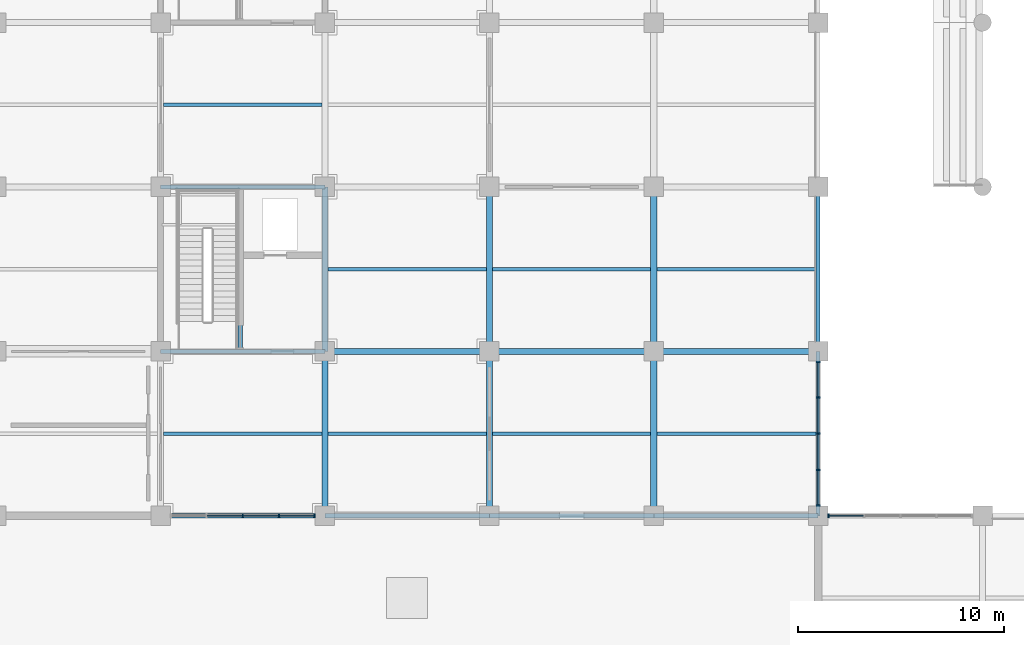
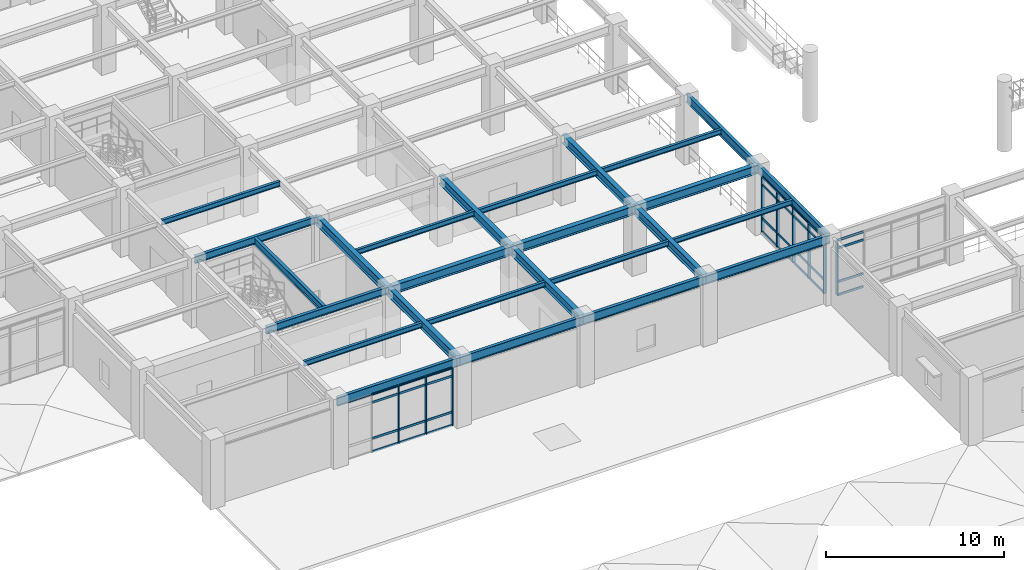
# One storey, part 9 of 109: 41 members, 26 beams, 3 elements without a shape of their own.
"""IFC4 building model written with IfcOpenShell, lengths in metres."""

from ifc_helpers import new_model, si_unit, direction, frame, origin, origin_2d, place, context, subcontext, project, spatial, rectangle, i_section, extrude, material, layer, layer_set, material_profile, profile_set, type_object, element, aggregate, save


model = new_model("IFC4")

# Units and contexts
model_context = context("Model", 3, precision=1e-05, world=origin(), true_north=direction((0.0, 1.0)))
body_context = subcontext(model_context, "Body", "Model", "MODEL_VIEW")
ifc_project = project(units=[si_unit("LENGTHUNIT", "METRE"), si_unit("AREAUNIT", "SQUARE_METRE"), si_unit("VOLUMEUNIT", "CUBIC_METRE"), si_unit("PLANEANGLEUNIT", "RADIAN"), si_unit("MASSUNIT", "GRAM", prefix="KILO")], contexts=[model_context])

# Site, building, storey
site_placement = place(None, origin())
site = spatial("IfcSite", under=ifc_project, at=site_placement, CompositionType="ELEMENT")
building_placement = place(site_placement, origin())
building = spatial("IfcBuilding", under=site, at=building_placement, Name="Haebicheon Civic Stadium", CompositionType="ELEMENT")
storey_placement = place(building_placement, frame((0.0, 0.0, 9.60009765625)))
storey = spatial("IfcBuildingStorey", under=building, at=storey_placement, Name="L03", CompositionType="ELEMENT", Elevation=9.60009765625)

# Beams
ifc_material_1 = material(Name="Steel SM355 (S355)", Category="steel")
ifc_material_profile_1 = material_profile(ifc_material_1, i_section(OverallWidth=0.199951171875, OverallDepth=0.5, WebThickness=0.010009765625, FlangeThickness=0.01611328125, at=origin_2d()), Name="H-500x200x10x16")
ifc_profile_set_1 = profile_set([ifc_material_profile_1], Name="Steel SM355 (S355)")
beam_type_1 = type_object("IfcBeamType", Name="BM-ST-H500", PredefinedType="BEAM", material=ifc_profile_set_1)
for number, where, z_axis, x_axis, name in (
    (1, (32.0, 40.0, 4.289794921875), (1.0, 0.0, 0.0), (0.0, 1.0, 0.0), "L03 beam F/5-6"),
    (2, (32.0, 48.0, 4.289794921875), (1.0, 0.0, 0.0), (0.0, 1.0, 0.0), "L03 beam G/5-6"),
):
    element("IfcBeam", number, at=place(storey_placement, frame(where, z_axis=z_axis, x_axis=x_axis)), inside=storey, type_object=beam_type_1, material=ifc_profile_set_1, Name=name, PredefinedType="BEAM", context=body_context, shape_type="SweptSolid", body=[
        extrude(i_section(OverallWidth=0.199951171875, OverallDepth=0.5, WebThickness=0.010009765625, FlangeThickness=0.01611328125, at=origin_2d()), origin(), (0.0, 0.0, 1.0), 8.0),
    ])
beam_placement = place(storey_placement, frame((35.8798828125, 40.10009765625, 4.289794921875), z_axis=(0.0, 1.0, 0.0), x_axis=(-1.0, 0.0, 0.0)))
element("IfcBeam", 3, at=beam_placement, inside=storey, type_object=beam_type_1, material=ifc_profile_set_1, Name="L03 KC-01 core dividing wall support beam", PredefinedType="BEAM", context=body_context, shape_type="SweptSolid", body=[
    extrude(i_section(OverallWidth=0.199951171875, OverallDepth=0.5, WebThickness=0.010009765625, FlangeThickness=0.01611328125, at=origin_2d()), origin(), (0.0, 0.0, 1.0), 7.7998046875),
])
ifc_material_2 = material(Name="Steel SM355 (S355)", Category="steel")
ifc_material_profile_2 = material_profile(ifc_material_2, i_section(OverallWidth=0.300048828125, OverallDepth=0.60009765625, WebThickness=0.011962890625, FlangeThickness=0.02001953125, at=origin_2d()), Name="H-600x300x12x20")
ifc_profile_set_2 = profile_set([ifc_material_profile_2], Name="Steel SM355 (S355)")
beam_type_2 = type_object("IfcBeamType", Name="BM-ST-H600A", PredefinedType="BEAM", material=ifc_profile_set_2)
for number, where, z_axis, x_axis, name in (
    (4, (40.0, 32.0, 4.239990234375), (0.0, 1.0, 0.0), (-1.0, 0.0, 0.0), "L03 girder 6/E-F"),
    (5, (40.0, 40.0, 4.239990234375), (0.0, 1.0, 0.0), (-1.0, 0.0, 0.0), "L03 girder 6/F-G"),
    (6, (48.0, 32.0, 4.239990234375), (0.0, 1.0, 0.0), (-1.0, 0.0, 0.0), "L03 girder 7/E-F"),
    (7, (48.0, 40.0, 4.239990234375), (0.0, 1.0, 0.0), (-1.0, 0.0, 0.0), "L03 girder 7/F-G"),
    (8, (56.0, 32.0, 4.239990234375), (0.0, 1.0, 0.0), (-1.0, 0.0, 0.0), "L03 girder 8/E-F"),
    (9, (56.0, 40.0, 4.239990234375), (0.0, 1.0, 0.0), (-1.0, 0.0, 0.0), "L03 girder 8/F-G"),
    (10, (40.0, 40.0, 4.239990234375), (1.0, 0.0, 0.0), (0.0, 1.0, 0.0), "L03 beam F/6-7"),
    (11, (48.0, 40.0, 4.239990234375), (1.0, 0.0, 0.0), (0.0, 1.0, 0.0), "L03 beam F/7-8"),
    (12, (56.0, 40.0, 4.239990234375), (1.0, 0.0, 0.0), (0.0, 1.0, 0.0), "L03 beam F/8-9"),
):
    element("IfcBeam", number, at=place(storey_placement, frame(where, z_axis=z_axis, x_axis=x_axis)), inside=storey, type_object=beam_type_2, material=ifc_profile_set_2, Name=name, PredefinedType="BEAM", context=body_context, shape_type="SweptSolid", body=[
        extrude(i_section(OverallWidth=0.300048828125, OverallDepth=0.60009765625, WebThickness=0.011962890625, FlangeThickness=0.02001953125, at=origin_2d()), origin(), (0.0, 0.0, 1.0), 8.0),
    ])

# Curtain wall, members
ifc_material_3 = material(Name="Anodised aluminium and laminated glass", Category="aluminium")
ifc_layer_1 = layer(ifc_material_3, 0.179931640625, Name="Anodised aluminium and laminated glass")
ifc_layer_set_1 = layer_set([ifc_layer_1], Name="Anodised aluminium and laminated glass")
curtain_wall_type_1 = type_object("IfcCurtainWallType", Name="CW-7050x3930", PredefinedType="NOTDEFINED", material=ifc_layer_set_1)
curtain_wall_1_placement = place(storey_placement, origin())
curtain_wall_1 = element("IfcCurtainWall", 13, at=curtain_wall_1_placement, inside=storey, type_object=curtain_wall_type_1, material=ifc_layer_set_1, Name="L03 unitised curtain wall 074", PredefinedType="NOTDEFINED")
ifc_material_4 = material(Name="Anodised aluminium 6063-T6", Category="aluminium")
ifc_material_profile_3 = material_profile(ifc_material_4, rectangle(XDim=0.070068359375, YDim=0.199951171875, at=origin_2d()), Name="ALU-MULL-70x200")
ifc_profile_set_3 = profile_set([ifc_material_profile_3], Name="Anodised aluminium 6063-T6")
member_type_1 = type_object("IfcMemberType", Name="CWM-200x70", PredefinedType="MULLION", material=ifc_profile_set_3)
member_1_placement = place(storey_placement, frame((36.0, 32.0, 0.0), z_axis=(0.0, 0.0, 1.0), x_axis=(1.0, 0.0, 0.0)))
member_1 = element("IfcMember", 14, at=member_1_placement, type_object=member_type_1, material=ifc_profile_set_3, Name="CW-L03-074 vertical mullion 3", PredefinedType="MULLION", context=body_context, shape_type="SweptSolid", body=[
    extrude(rectangle(XDim=0.070068359375, YDim=0.199951171875, at=origin_2d()), origin(), (0.0, 0.0, 1.0), 3.929931640625),
])
member_2_placement = place(storey_placement, frame((37.762939453125, 32.0, 0.0), z_axis=(0.0, 0.0, 1.0), x_axis=(1.0, 0.0, 0.0)))
member_2 = element("IfcMember", 15, at=member_2_placement, type_object=member_type_1, material=ifc_profile_set_3, Name="CW-L03-074 vertical mullion 4", PredefinedType="MULLION", context=body_context, shape_type="SweptSolid", body=[
    extrude(rectangle(XDim=0.070068359375, YDim=0.199951171875, at=origin_2d()), origin(), (0.0, 0.0, 1.0), 3.929931640625),
])
member_3_placement = place(storey_placement, frame((39.489990234375, 32.0, 0.0), z_axis=(0.0, 0.0, 1.0), x_axis=(1.0, 0.0, 0.0)))
member_3 = element("IfcMember", 16, at=member_3_placement, type_object=member_type_1, material=ifc_profile_set_3, Name="CW-L03-074 vertical mullion 5", PredefinedType="MULLION", context=body_context, shape_type="SweptSolid", body=[
    extrude(rectangle(XDim=0.070068359375, YDim=0.199951171875, at=origin_2d()), origin(), (0.0, 0.0, 1.0), 3.929931640625),
])

ifc_material_5 = material(Name="Anodised aluminium and laminated glass", Category="aluminium")
ifc_layer_2 = layer(ifc_material_5, 0.179931640625, Name="Anodised aluminium and laminated glass")
ifc_layer_set_2 = layer_set([ifc_layer_2], Name="Anodised aluminium and laminated glass")
curtain_wall_type_2 = type_object("IfcCurtainWallType", Name="CW-7050x3770", PredefinedType="NOTDEFINED", material=ifc_layer_set_2)
curtain_wall_2_placement = place(storey_placement, origin())
curtain_wall_2 = element("IfcCurtainWall", 17, at=curtain_wall_2_placement, inside=storey, type_object=curtain_wall_type_2, material=ifc_layer_set_2, Name="L03 unitised curtain wall 076", PredefinedType="NOTDEFINED")
member_4_placement = place(storey_placement, frame((64.0, 32.510009765625, 0.159912109375), z_axis=(0.0, 0.0, 1.0), x_axis=(0.0, 1.0, 0.0)))
member_4 = element("IfcMember", 18, at=member_4_placement, type_object=member_type_1, material=ifc_profile_set_3, Name="CW-L03-076 vertical mullion 1", PredefinedType="MULLION", context=body_context, shape_type="SweptSolid", body=[
    extrude(rectangle(XDim=0.070068359375, YDim=0.199951171875, at=origin_2d()), origin(), (0.0, 0.0, 1.0), 3.77001953125),
])
member_5_placement = place(storey_placement, frame((64.0, 34.237060546875, 0.159912109375), z_axis=(0.0, 0.0, 1.0), x_axis=(0.0, 1.0, 0.0)))
member_5 = element("IfcMember", 19, at=member_5_placement, type_object=member_type_1, material=ifc_profile_set_3, Name="CW-L03-076 vertical mullion 2", PredefinedType="MULLION", context=body_context, shape_type="SweptSolid", body=[
    extrude(rectangle(XDim=0.070068359375, YDim=0.199951171875, at=origin_2d()), origin(), (0.0, 0.0, 1.0), 3.77001953125),
])
member_6_placement = place(storey_placement, frame((64.0, 36.0, 0.159912109375), z_axis=(0.0, 0.0, 1.0), x_axis=(0.0, 1.0, 0.0)))
member_6 = element("IfcMember", 20, at=member_6_placement, type_object=member_type_1, material=ifc_profile_set_3, Name="CW-L03-076 vertical mullion 3", PredefinedType="MULLION", context=body_context, shape_type="SweptSolid", body=[
    extrude(rectangle(XDim=0.070068359375, YDim=0.199951171875, at=origin_2d()), origin(), (0.0, 0.0, 1.0), 3.77001953125),
])
member_7_placement = place(storey_placement, frame((64.0, 37.762939453125, 0.159912109375), z_axis=(0.0, 0.0, 1.0), x_axis=(0.0, 1.0, 0.0)))
member_7 = element("IfcMember", 21, at=member_7_placement, type_object=member_type_1, material=ifc_profile_set_3, Name="CW-L03-076 vertical mullion 4", PredefinedType="MULLION", context=body_context, shape_type="SweptSolid", body=[
    extrude(rectangle(XDim=0.070068359375, YDim=0.199951171875, at=origin_2d()), origin(), (0.0, 0.0, 1.0), 3.77001953125),
])
member_8_placement = place(storey_placement, frame((64.0, 39.489990234375, 0.159912109375), z_axis=(0.0, 0.0, 1.0), x_axis=(0.0, 1.0, 0.0)))
member_8 = element("IfcMember", 22, at=member_8_placement, type_object=member_type_1, material=ifc_profile_set_3, Name="CW-L03-076 vertical mullion 5", PredefinedType="MULLION", context=body_context, shape_type="SweptSolid", body=[
    extrude(rectangle(XDim=0.070068359375, YDim=0.199951171875, at=origin_2d()), origin(), (0.0, 0.0, 1.0), 3.77001953125),
])

# Curtain wall, member
curtain_wall_3_placement = place(storey_placement, origin())
curtain_wall_3 = element("IfcCurtainWall", 23, at=curtain_wall_3_placement, inside=storey, type_object=curtain_wall_type_2, material=ifc_layer_set_2, Name="L03 unitised curtain wall 077", PredefinedType="NOTDEFINED")
member_9_placement = place(storey_placement, frame((64.510009765625, 32.0, 0.159912109375), z_axis=(0.0, 0.0, 1.0), x_axis=(1.0, 0.0, 0.0)))
member_9 = element("IfcMember", 24, at=member_9_placement, type_object=member_type_1, material=ifc_profile_set_3, Name="CW-L03-077 vertical mullion 1", PredefinedType="MULLION", context=body_context, shape_type="SweptSolid", body=[
    extrude(rectangle(XDim=0.070068359375, YDim=0.199951171875, at=origin_2d()), origin(), (0.0, 0.0, 1.0), 3.77001953125),
])

# Member
ifc_material_6 = material(Name="Anodised aluminium 6063-T6", Category="aluminium")
ifc_material_profile_4 = material_profile(ifc_material_6, rectangle(XDim=0.070068359375, YDim=0.14990234375, at=origin_2d()), Name="ALU-TRAN-70x150")
ifc_profile_set_4 = profile_set([ifc_material_profile_4], Name="Anodised aluminium 6063-T6")
member_type_2 = type_object("IfcMemberType", Name="CWT-150x70", PredefinedType="NOTDEFINED", material=ifc_profile_set_4)
member_10_placement = place(storey_placement, frame((34.27197265625, 32.0, 0.0), z_axis=(1.0, 0.0, 0.0), x_axis=(0.0, 1.0, 0.0)))
member_10 = element("IfcMember", 25, at=member_10_placement, type_object=member_type_2, material=ifc_profile_set_4, Name="CW-L03-074 horizontal transom 2.1", ObjectType="TRANSOM", PredefinedType="USERDEFINED", context=body_context, shape_type="SweptSolid", body=[
    extrude(rectangle(XDim=0.070068359375, YDim=0.14990234375, at=origin_2d()), origin(), (0.0, 0.0, 1.0), 1.693115234375),
])

member_11_placement = place(storey_placement, frame((34.27197265625, 32.0, 0.89990234375), z_axis=(1.0, 0.0, 0.0), x_axis=(0.0, 1.0, 0.0)))
member_11 = element("IfcMember", 26, at=member_11_placement, type_object=member_type_2, material=ifc_profile_set_4, Name="CW-L03-074 horizontal transom 2.2", ObjectType="TRANSOM", PredefinedType="USERDEFINED", context=body_context, shape_type="SweptSolid", body=[
    extrude(rectangle(XDim=0.070068359375, YDim=0.14990234375, at=origin_2d()), origin(), (0.0, 0.0, 1.0), 1.693115234375),
])

member_12_placement = place(storey_placement, frame((34.27197265625, 32.0, 3.3798828125), z_axis=(1.0, 0.0, 0.0), x_axis=(0.0, 1.0, 0.0)))
member_12 = element("IfcMember", 27, at=member_12_placement, type_object=member_type_2, material=ifc_profile_set_4, Name="CW-L03-074 horizontal transom 2.3", ObjectType="TRANSOM", PredefinedType="USERDEFINED", context=body_context, shape_type="SweptSolid", body=[
    extrude(rectangle(XDim=0.070068359375, YDim=0.14990234375, at=origin_2d()), origin(), (0.0, 0.0, 1.0), 1.693115234375),
])

member_13_placement = place(storey_placement, frame((34.27197265625, 32.0, 3.929931640625), z_axis=(1.0, 0.0, 0.0), x_axis=(0.0, 1.0, 0.0)))
member_13 = element("IfcMember", 28, at=member_13_placement, type_object=member_type_2, material=ifc_profile_set_4, Name="CW-L03-074 horizontal transom 2.4", ObjectType="TRANSOM", PredefinedType="USERDEFINED", context=body_context, shape_type="SweptSolid", body=[
    extrude(rectangle(XDim=0.070068359375, YDim=0.14990234375, at=origin_2d()), origin(), (0.0, 0.0, 1.0), 1.693115234375),
])

member_14_placement = place(storey_placement, frame((36.034912109375, 32.0, 0.0), z_axis=(1.0, 0.0, 0.0), x_axis=(0.0, 1.0, 0.0)))
member_14 = element("IfcMember", 29, at=member_14_placement, type_object=member_type_2, material=ifc_profile_set_4, Name="CW-L03-074 horizontal transom 3.1", ObjectType="TRANSOM", PredefinedType="USERDEFINED", context=body_context, shape_type="SweptSolid", body=[
    extrude(rectangle(XDim=0.070068359375, YDim=0.14990234375, at=origin_2d()), origin(), (0.0, 0.0, 1.0), 1.693115234375),
])

member_15_placement = place(storey_placement, frame((36.034912109375, 32.0, 0.89990234375), z_axis=(1.0, 0.0, 0.0), x_axis=(0.0, 1.0, 0.0)))
member_15 = element("IfcMember", 30, at=member_15_placement, type_object=member_type_2, material=ifc_profile_set_4, Name="CW-L03-074 horizontal transom 3.2", ObjectType="TRANSOM", PredefinedType="USERDEFINED", context=body_context, shape_type="SweptSolid", body=[
    extrude(rectangle(XDim=0.070068359375, YDim=0.14990234375, at=origin_2d()), origin(), (0.0, 0.0, 1.0), 1.693115234375),
])

member_16_placement = place(storey_placement, frame((36.034912109375, 32.0, 3.3798828125), z_axis=(1.0, 0.0, 0.0), x_axis=(0.0, 1.0, 0.0)))
member_16 = element("IfcMember", 31, at=member_16_placement, type_object=member_type_2, material=ifc_profile_set_4, Name="CW-L03-074 horizontal transom 3.3", ObjectType="TRANSOM", PredefinedType="USERDEFINED", context=body_context, shape_type="SweptSolid", body=[
    extrude(rectangle(XDim=0.070068359375, YDim=0.14990234375, at=origin_2d()), origin(), (0.0, 0.0, 1.0), 1.693115234375),
])

member_17_placement = place(storey_placement, frame((36.034912109375, 32.0, 3.929931640625), z_axis=(1.0, 0.0, 0.0), x_axis=(0.0, 1.0, 0.0)))
member_17 = element("IfcMember", 32, at=member_17_placement, type_object=member_type_2, material=ifc_profile_set_4, Name="CW-L03-074 horizontal transom 3.4", ObjectType="TRANSOM", PredefinedType="USERDEFINED", context=body_context, shape_type="SweptSolid", body=[
    extrude(rectangle(XDim=0.070068359375, YDim=0.14990234375, at=origin_2d()), origin(), (0.0, 0.0, 1.0), 1.693115234375),
])

member_18_placement = place(storey_placement, frame((37.798095703125, 32.0, 0.0), z_axis=(1.0, 0.0, 0.0), x_axis=(0.0, 1.0, 0.0)))
member_18 = element("IfcMember", 33, at=member_18_placement, type_object=member_type_2, material=ifc_profile_set_4, Name="CW-L03-074 horizontal transom 4.1", ObjectType="TRANSOM", PredefinedType="USERDEFINED", context=body_context, shape_type="SweptSolid", body=[
    extrude(rectangle(XDim=0.070068359375, YDim=0.14990234375, at=origin_2d()), origin(), (0.0, 0.0, 1.0), 1.656982421875),
])

member_19_placement = place(storey_placement, frame((37.798095703125, 32.0, 0.89990234375), z_axis=(1.0, 0.0, 0.0), x_axis=(0.0, 1.0, 0.0)))
member_19 = element("IfcMember", 34, at=member_19_placement, type_object=member_type_2, material=ifc_profile_set_4, Name="CW-L03-074 horizontal transom 4.2", ObjectType="TRANSOM", PredefinedType="USERDEFINED", context=body_context, shape_type="SweptSolid", body=[
    extrude(rectangle(XDim=0.070068359375, YDim=0.14990234375, at=origin_2d()), origin(), (0.0, 0.0, 1.0), 1.656982421875),
])

member_20_placement = place(storey_placement, frame((37.798095703125, 32.0, 3.3798828125), z_axis=(1.0, 0.0, 0.0), x_axis=(0.0, 1.0, 0.0)))
member_20 = element("IfcMember", 35, at=member_20_placement, type_object=member_type_2, material=ifc_profile_set_4, Name="CW-L03-074 horizontal transom 4.3", ObjectType="TRANSOM", PredefinedType="USERDEFINED", context=body_context, shape_type="SweptSolid", body=[
    extrude(rectangle(XDim=0.070068359375, YDim=0.14990234375, at=origin_2d()), origin(), (0.0, 0.0, 1.0), 1.656982421875),
])

member_21_placement = place(storey_placement, frame((37.798095703125, 32.0, 3.929931640625), z_axis=(1.0, 0.0, 0.0), x_axis=(0.0, 1.0, 0.0)))
member_21 = element("IfcMember", 36, at=member_21_placement, type_object=member_type_2, material=ifc_profile_set_4, Name="CW-L03-074 horizontal transom 4.4", ObjectType="TRANSOM", PredefinedType="USERDEFINED", context=body_context, shape_type="SweptSolid", body=[
    extrude(rectangle(XDim=0.070068359375, YDim=0.14990234375, at=origin_2d()), origin(), (0.0, 0.0, 1.0), 1.656982421875),
])

aggregate(curtain_wall_1, [member_1, member_2, member_3, member_10, member_11, member_12, member_13, member_14, member_15, member_16, member_17, member_18, member_19, member_20, member_21])

member_22_placement = place(storey_placement, frame((64.0, 32.544921875, 0.159912109375), z_axis=(0.0, 1.0, 0.0), x_axis=(-1.0, 0.0, 0.0)))
member_22 = element("IfcMember", 37, at=member_22_placement, type_object=member_type_2, material=ifc_profile_set_4, Name="CW-L03-076 horizontal transom 1.1", ObjectType="TRANSOM", PredefinedType="USERDEFINED", context=body_context, shape_type="SweptSolid", body=[
    extrude(rectangle(XDim=0.070068359375, YDim=0.14990234375, at=origin_2d()), origin(), (0.0, 0.0, 1.0), 1.656982421875),
])

member_23_placement = place(storey_placement, frame((64.0, 32.544921875, 1.059814453125), z_axis=(0.0, 1.0, 0.0), x_axis=(-1.0, 0.0, 0.0)))
member_23 = element("IfcMember", 38, at=member_23_placement, type_object=member_type_2, material=ifc_profile_set_4, Name="CW-L03-076 horizontal transom 1.2", ObjectType="TRANSOM", PredefinedType="USERDEFINED", context=body_context, shape_type="SweptSolid", body=[
    extrude(rectangle(XDim=0.070068359375, YDim=0.14990234375, at=origin_2d()), origin(), (0.0, 0.0, 1.0), 1.656982421875),
])

member_24_placement = place(storey_placement, frame((64.0, 32.544921875, 3.3798828125), z_axis=(0.0, 1.0, 0.0), x_axis=(-1.0, 0.0, 0.0)))
member_24 = element("IfcMember", 39, at=member_24_placement, type_object=member_type_2, material=ifc_profile_set_4, Name="CW-L03-076 horizontal transom 1.3", ObjectType="TRANSOM", PredefinedType="USERDEFINED", context=body_context, shape_type="SweptSolid", body=[
    extrude(rectangle(XDim=0.070068359375, YDim=0.14990234375, at=origin_2d()), origin(), (0.0, 0.0, 1.0), 1.656982421875),
])

member_25_placement = place(storey_placement, frame((64.0, 32.544921875, 3.929931640625), z_axis=(0.0, 1.0, 0.0), x_axis=(-1.0, 0.0, 0.0)))
member_25 = element("IfcMember", 40, at=member_25_placement, type_object=member_type_2, material=ifc_profile_set_4, Name="CW-L03-076 horizontal transom 1.4", ObjectType="TRANSOM", PredefinedType="USERDEFINED", context=body_context, shape_type="SweptSolid", body=[
    extrude(rectangle(XDim=0.070068359375, YDim=0.14990234375, at=origin_2d()), origin(), (0.0, 0.0, 1.0), 1.656982421875),
])

member_26_placement = place(storey_placement, frame((64.0, 34.27197265625, 0.159912109375), z_axis=(0.0, 1.0, 0.0), x_axis=(-1.0, 0.0, 0.0)))
member_26 = element("IfcMember", 41, at=member_26_placement, type_object=member_type_2, material=ifc_profile_set_4, Name="CW-L03-076 horizontal transom 2.1", ObjectType="TRANSOM", PredefinedType="USERDEFINED", context=body_context, shape_type="SweptSolid", body=[
    extrude(rectangle(XDim=0.070068359375, YDim=0.14990234375, at=origin_2d()), origin(), (0.0, 0.0, 1.0), 1.693115234375),
])

member_27_placement = place(storey_placement, frame((64.0, 34.27197265625, 1.059814453125), z_axis=(0.0, 1.0, 0.0), x_axis=(-1.0, 0.0, 0.0)))
member_27 = element("IfcMember", 42, at=member_27_placement, type_object=member_type_2, material=ifc_profile_set_4, Name="CW-L03-076 horizontal transom 2.2", ObjectType="TRANSOM", PredefinedType="USERDEFINED", context=body_context, shape_type="SweptSolid", body=[
    extrude(rectangle(XDim=0.070068359375, YDim=0.14990234375, at=origin_2d()), origin(), (0.0, 0.0, 1.0), 1.693115234375),
])

member_28_placement = place(storey_placement, frame((64.0, 34.27197265625, 3.3798828125), z_axis=(0.0, 1.0, 0.0), x_axis=(-1.0, 0.0, 0.0)))
member_28 = element("IfcMember", 43, at=member_28_placement, type_object=member_type_2, material=ifc_profile_set_4, Name="CW-L03-076 horizontal transom 2.3", ObjectType="TRANSOM", PredefinedType="USERDEFINED", context=body_context, shape_type="SweptSolid", body=[
    extrude(rectangle(XDim=0.070068359375, YDim=0.14990234375, at=origin_2d()), origin(), (0.0, 0.0, 1.0), 1.693115234375),
])

member_29_placement = place(storey_placement, frame((64.0, 34.27197265625, 3.929931640625), z_axis=(0.0, 1.0, 0.0), x_axis=(-1.0, 0.0, 0.0)))
member_29 = element("IfcMember", 44, at=member_29_placement, type_object=member_type_2, material=ifc_profile_set_4, Name="CW-L03-076 horizontal transom 2.4", ObjectType="TRANSOM", PredefinedType="USERDEFINED", context=body_context, shape_type="SweptSolid", body=[
    extrude(rectangle(XDim=0.070068359375, YDim=0.14990234375, at=origin_2d()), origin(), (0.0, 0.0, 1.0), 1.693115234375),
])

member_30_placement = place(storey_placement, frame((64.0, 36.034912109375, 0.159912109375), z_axis=(0.0, 1.0, 0.0), x_axis=(-1.0, 0.0, 0.0)))
member_30 = element("IfcMember", 45, at=member_30_placement, type_object=member_type_2, material=ifc_profile_set_4, Name="CW-L03-076 horizontal transom 3.1", ObjectType="TRANSOM", PredefinedType="USERDEFINED", context=body_context, shape_type="SweptSolid", body=[
    extrude(rectangle(XDim=0.070068359375, YDim=0.14990234375, at=origin_2d()), origin(), (0.0, 0.0, 1.0), 1.693115234375),
])

member_31_placement = place(storey_placement, frame((64.0, 36.034912109375, 1.059814453125), z_axis=(0.0, 1.0, 0.0), x_axis=(-1.0, 0.0, 0.0)))
member_31 = element("IfcMember", 46, at=member_31_placement, type_object=member_type_2, material=ifc_profile_set_4, Name="CW-L03-076 horizontal transom 3.2", ObjectType="TRANSOM", PredefinedType="USERDEFINED", context=body_context, shape_type="SweptSolid", body=[
    extrude(rectangle(XDim=0.070068359375, YDim=0.14990234375, at=origin_2d()), origin(), (0.0, 0.0, 1.0), 1.693115234375),
])

member_32_placement = place(storey_placement, frame((64.0, 36.034912109375, 3.3798828125), z_axis=(0.0, 1.0, 0.0), x_axis=(-1.0, 0.0, 0.0)))
member_32 = element("IfcMember", 47, at=member_32_placement, type_object=member_type_2, material=ifc_profile_set_4, Name="CW-L03-076 horizontal transom 3.3", ObjectType="TRANSOM", PredefinedType="USERDEFINED", context=body_context, shape_type="SweptSolid", body=[
    extrude(rectangle(XDim=0.070068359375, YDim=0.14990234375, at=origin_2d()), origin(), (0.0, 0.0, 1.0), 1.693115234375),
])

member_33_placement = place(storey_placement, frame((64.0, 36.034912109375, 3.929931640625), z_axis=(0.0, 1.0, 0.0), x_axis=(-1.0, 0.0, 0.0)))
member_33 = element("IfcMember", 48, at=member_33_placement, type_object=member_type_2, material=ifc_profile_set_4, Name="CW-L03-076 horizontal transom 3.4", ObjectType="TRANSOM", PredefinedType="USERDEFINED", context=body_context, shape_type="SweptSolid", body=[
    extrude(rectangle(XDim=0.070068359375, YDim=0.14990234375, at=origin_2d()), origin(), (0.0, 0.0, 1.0), 1.693115234375),
])

member_34_placement = place(storey_placement, frame((64.0, 37.798095703125, 0.159912109375), z_axis=(0.0, 1.0, 0.0), x_axis=(-1.0, 0.0, 0.0)))
member_34 = element("IfcMember", 49, at=member_34_placement, type_object=member_type_2, material=ifc_profile_set_4, Name="CW-L03-076 horizontal transom 4.1", ObjectType="TRANSOM", PredefinedType="USERDEFINED", context=body_context, shape_type="SweptSolid", body=[
    extrude(rectangle(XDim=0.070068359375, YDim=0.14990234375, at=origin_2d()), origin(), (0.0, 0.0, 1.0), 1.656982421875),
])

member_35_placement = place(storey_placement, frame((64.0, 37.798095703125, 1.059814453125), z_axis=(0.0, 1.0, 0.0), x_axis=(-1.0, 0.0, 0.0)))
member_35 = element("IfcMember", 50, at=member_35_placement, type_object=member_type_2, material=ifc_profile_set_4, Name="CW-L03-076 horizontal transom 4.2", ObjectType="TRANSOM", PredefinedType="USERDEFINED", context=body_context, shape_type="SweptSolid", body=[
    extrude(rectangle(XDim=0.070068359375, YDim=0.14990234375, at=origin_2d()), origin(), (0.0, 0.0, 1.0), 1.656982421875),
])

member_36_placement = place(storey_placement, frame((64.0, 37.798095703125, 3.3798828125), z_axis=(0.0, 1.0, 0.0), x_axis=(-1.0, 0.0, 0.0)))
member_36 = element("IfcMember", 51, at=member_36_placement, type_object=member_type_2, material=ifc_profile_set_4, Name="CW-L03-076 horizontal transom 4.3", ObjectType="TRANSOM", PredefinedType="USERDEFINED", context=body_context, shape_type="SweptSolid", body=[
    extrude(rectangle(XDim=0.070068359375, YDim=0.14990234375, at=origin_2d()), origin(), (0.0, 0.0, 1.0), 1.656982421875),
])

member_37_placement = place(storey_placement, frame((64.0, 37.798095703125, 3.929931640625), z_axis=(0.0, 1.0, 0.0), x_axis=(-1.0, 0.0, 0.0)))
member_37 = element("IfcMember", 52, at=member_37_placement, type_object=member_type_2, material=ifc_profile_set_4, Name="CW-L03-076 horizontal transom 4.4", ObjectType="TRANSOM", PredefinedType="USERDEFINED", context=body_context, shape_type="SweptSolid", body=[
    extrude(rectangle(XDim=0.070068359375, YDim=0.14990234375, at=origin_2d()), origin(), (0.0, 0.0, 1.0), 1.656982421875),
])

aggregate(curtain_wall_2, [member_4, member_5, member_6, member_7, member_8, member_22, member_23, member_24, member_25, member_26, member_27, member_28, member_29, member_30, member_31, member_32, member_33, member_34, member_35, member_36, member_37])

member_38_placement = place(storey_placement, frame((64.544921875, 32.0, 0.159912109375), z_axis=(1.0, 0.0, 0.0), x_axis=(0.0, 1.0, 0.0)))
member_38 = element("IfcMember", 53, at=member_38_placement, type_object=member_type_2, material=ifc_profile_set_4, Name="CW-L03-077 horizontal transom 1.1", ObjectType="TRANSOM", PredefinedType="USERDEFINED", context=body_context, shape_type="SweptSolid", body=[
    extrude(rectangle(XDim=0.070068359375, YDim=0.14990234375, at=origin_2d()), origin(), (0.0, 0.0, 1.0), 1.656982421875),
])

member_39_placement = place(storey_placement, frame((64.544921875, 32.0, 1.059814453125), z_axis=(1.0, 0.0, 0.0), x_axis=(0.0, 1.0, 0.0)))
member_39 = element("IfcMember", 54, at=member_39_placement, type_object=member_type_2, material=ifc_profile_set_4, Name="CW-L03-077 horizontal transom 1.2", ObjectType="TRANSOM", PredefinedType="USERDEFINED", context=body_context, shape_type="SweptSolid", body=[
    extrude(rectangle(XDim=0.070068359375, YDim=0.14990234375, at=origin_2d()), origin(), (0.0, 0.0, 1.0), 1.656982421875),
])

member_40_placement = place(storey_placement, frame((64.544921875, 32.0, 3.3798828125), z_axis=(1.0, 0.0, 0.0), x_axis=(0.0, 1.0, 0.0)))
member_40 = element("IfcMember", 55, at=member_40_placement, type_object=member_type_2, material=ifc_profile_set_4, Name="CW-L03-077 horizontal transom 1.3", ObjectType="TRANSOM", PredefinedType="USERDEFINED", context=body_context, shape_type="SweptSolid", body=[
    extrude(rectangle(XDim=0.070068359375, YDim=0.14990234375, at=origin_2d()), origin(), (0.0, 0.0, 1.0), 1.656982421875),
])

member_41_placement = place(storey_placement, frame((64.544921875, 32.0, 3.929931640625), z_axis=(1.0, 0.0, 0.0), x_axis=(0.0, 1.0, 0.0)))
member_41 = element("IfcMember", 56, at=member_41_placement, type_object=member_type_2, material=ifc_profile_set_4, Name="CW-L03-077 horizontal transom 1.4", ObjectType="TRANSOM", PredefinedType="USERDEFINED", context=body_context, shape_type="SweptSolid", body=[
    extrude(rectangle(XDim=0.070068359375, YDim=0.14990234375, at=origin_2d()), origin(), (0.0, 0.0, 1.0), 1.656982421875),
])

aggregate(curtain_wall_3, [member_9, member_38, member_39, member_40, member_41])

# Beams
ifc_material_7 = material(Name="Steel SM355 (S355)", Category="steel")
ifc_material_profile_5 = material_profile(ifc_material_7, i_section(OverallWidth=0.175048828125, OverallDepth=0.35009765625, WebThickness=0.007080078125, FlangeThickness=0.010986328125, at=origin_2d()), Name="H-350x175x7x11")
ifc_profile_set_5 = profile_set([ifc_material_profile_5], Name="Steel SM355 (S355)")
beam_type_3 = type_object("IfcBeamType", Name="JST-ST-H350", PredefinedType="JOIST", material=ifc_profile_set_5)
for number, where, z_axis, x_axis, name in (
    (57, (32.14990234375, 36.0, 4.364990234375), (1.0, 0.0, 0.0), (0.0, 1.0, 0.0), "L03 secondary joist 04-04"),
    (58, (32.14990234375, 52.0, 4.364990234375), (1.0, 0.0, 0.0), (0.0, 1.0, 0.0), "L03 secondary joist 04-06"),
    (59, (40.14990234375, 36.0, 4.364990234375), (1.0, 0.0, 0.0), (0.0, 1.0, 0.0), "L03 secondary joist 05-04"),
    (60, (40.14990234375, 44.0, 4.364990234375), (1.0, 0.0, 0.0), (0.0, 1.0, 0.0), "L03 secondary joist 05-05"),
    (61, (48.14990234375, 36.0, 4.364990234375), (1.0, 0.0, 0.0), (0.0, 1.0, 0.0), "L03 secondary joist 06-04"),
    (62, (48.14990234375, 44.0, 4.364990234375), (1.0, 0.0, 0.0), (0.0, 1.0, 0.0), "L03 secondary joist 06-05"),
):
    element("IfcBeam", number, at=place(storey_placement, frame(where, z_axis=z_axis, x_axis=x_axis)), inside=storey, type_object=beam_type_3, material=ifc_profile_set_5, Name=name, PredefinedType="JOIST", context=body_context, shape_type="SweptSolid", body=[
        extrude(i_section(OverallWidth=0.175048828125, OverallDepth=0.35009765625, WebThickness=0.007080078125, FlangeThickness=0.010986328125, at=origin_2d()), origin(), (0.0, 0.0, 1.0), 7.7001953125),
    ])
for number, where, z_axis, x_axis, name in (
    (63, (56.14990234375, 36.0, 4.364990234375), (1.0, 0.0, 0.0), (0.0, 1.0, 0.0), "L03 secondary joist 07-04"),
    (64, (56.14990234375, 44.0, 4.364990234375), (1.0, 0.0, 0.0), (0.0, 1.0, 0.0), "L03 secondary joist 07-05"),
):
    element("IfcBeam", number, at=place(storey_placement, frame(where, z_axis=z_axis, x_axis=x_axis)), inside=storey, type_object=beam_type_3, material=ifc_profile_set_5, Name=name, PredefinedType="JOIST", context=body_context, shape_type="SweptSolid", body=[
        extrude(i_section(OverallWidth=0.175048828125, OverallDepth=0.35009765625, WebThickness=0.007080078125, FlangeThickness=0.010986328125, at=origin_2d()), origin(), (0.0, 0.0, 1.0), 7.75),
    ])
ifc_material_8 = material(Name="Steel SM355 (S355)", Category="steel")
ifc_material_profile_6 = material_profile(ifc_material_8, i_section(OverallWidth=0.199951171875, OverallDepth=0.60009765625, WebThickness=0.010986328125, FlangeThickness=0.01708984375, at=origin_2d()), Name="H-600x200x11x17")
ifc_profile_set_6 = profile_set([ifc_material_profile_6], Name="Steel SM355 (S355)")
beam_type_4 = type_object("IfcBeamType", Name="SPD-ST-H600B", PredefinedType="SPANDREL", material=ifc_profile_set_6)
for number, where, z_axis, x_axis, name in (
    (65, (64.0, 32.0, 4.239990234375), (0.0, 1.0, 0.0), (-1.0, 0.0, 0.0), "L03 girder 9/E-F"),
    (66, (64.0, 40.0, 4.239990234375), (0.0, 1.0, 0.0), (-1.0, 0.0, 0.0), "L03 girder 9/F-G"),
    (67, (32.0, 32.0, 4.239990234375), (1.0, 0.0, 0.0), (0.0, 1.0, 0.0), "L03 beam E/5-6"),
    (68, (40.0, 32.0, 4.239990234375), (1.0, 0.0, 0.0), (0.0, 1.0, 0.0), "L03 beam E/6-7"),
    (69, (48.0, 32.0, 4.239990234375), (1.0, 0.0, 0.0), (0.0, 1.0, 0.0), "L03 beam E/7-8"),
    (70, (56.0, 32.0, 4.239990234375), (1.0, 0.0, 0.0), (0.0, 1.0, 0.0), "L03 beam E/8-9"),
):
    element("IfcBeam", number, at=place(storey_placement, frame(where, z_axis=z_axis, x_axis=x_axis)), inside=storey, type_object=beam_type_4, material=ifc_profile_set_6, Name=name, PredefinedType="SPANDREL", context=body_context, shape_type="SweptSolid", body=[
        extrude(i_section(OverallWidth=0.199951171875, OverallDepth=0.60009765625, WebThickness=0.010986328125, FlangeThickness=0.01708984375, at=origin_2d()), origin(), (0.0, 0.0, 1.0), 8.0),
    ])

save(model, "model.ifc")
